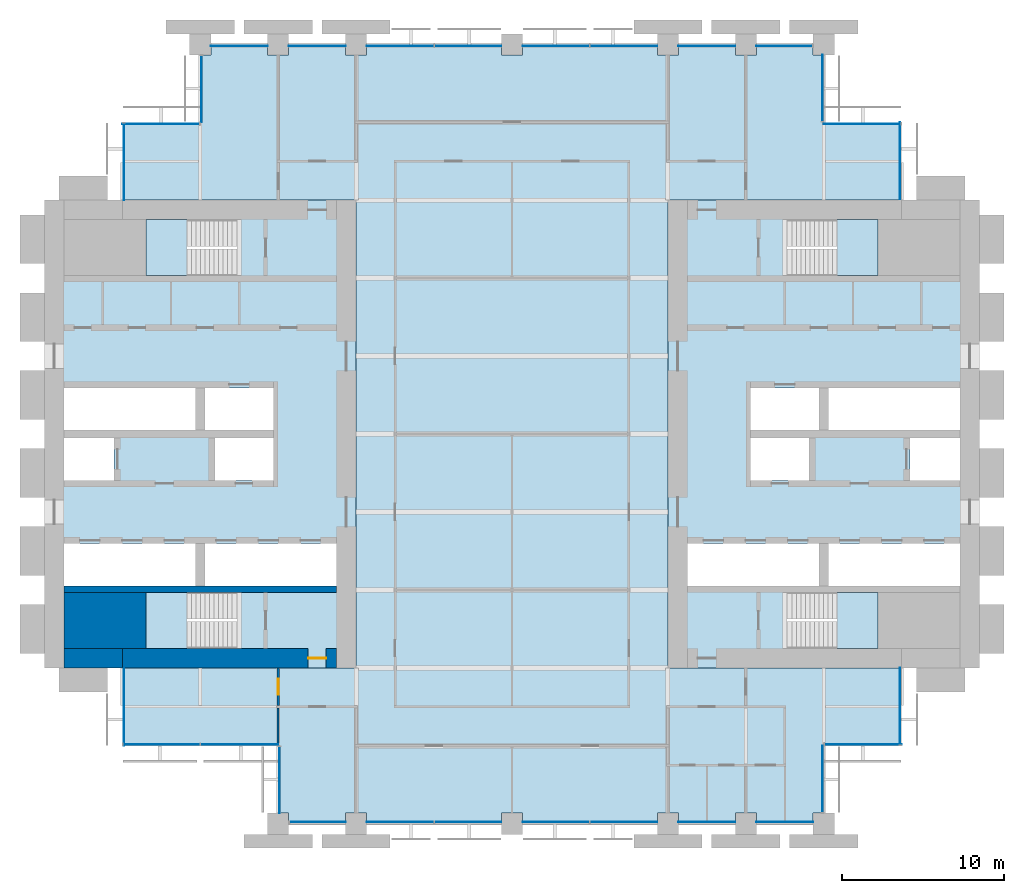
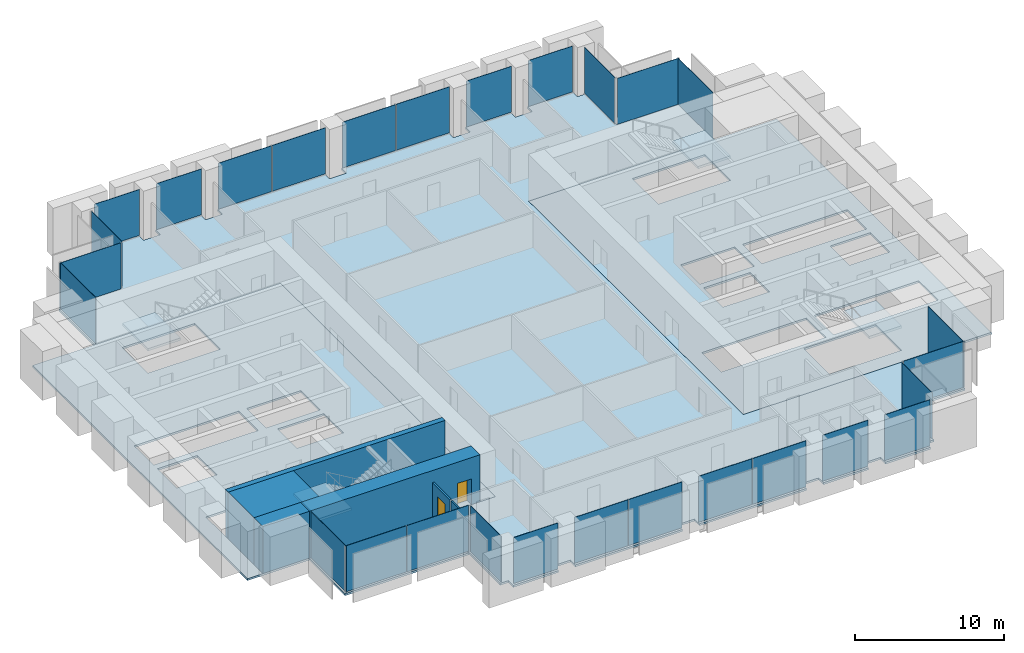
# One storey, part 8 of 14: 28 plates, 7 slabs, 6 walls, 2 doors, 2 openings, 18 elements without a shape of their own.
"""IFC4 building model written with IfcOpenShell, lengths in metres."""

from ifc_helpers import new_model, si_unit, direction, frame, frame_2d, origin, origin_2d, place, context, subcontext, project, spatial, polyline, rectangle, outline, extrude, material, layer, layer_set, type_object, element, fill, aggregate, save


model = new_model("IFC4")

# Units and contexts
model_context = context("Model", 3, precision=1e-05, world=origin(), true_north=direction((0.0, 1.0)))
body_context = subcontext(model_context, "Body", "Model", "MODEL_VIEW")
ifc_project = project(units=[si_unit("LENGTHUNIT", "METRE"), si_unit("AREAUNIT", "SQUARE_METRE"), si_unit("VOLUMEUNIT", "CUBIC_METRE"), si_unit("PLANEANGLEUNIT", "RADIAN"), si_unit("MASSUNIT", "GRAM", prefix="KILO")], contexts=[model_context])

# Site, building, storey
site_placement = place(None, origin())
site = spatial("IfcSite", under=ifc_project, at=site_placement, CompositionType="ELEMENT")
building_placement = place(site_placement, origin())
building = spatial("IfcBuilding", under=site, at=building_placement, Name="Baori Bourse Tower", CompositionType="ELEMENT")
storey_placement = place(building_placement, frame((0.0, 0.0, 43.0)))
storey = spatial("IfcBuildingStorey", under=building, at=storey_placement, Name="L08", CompositionType="ELEMENT", Elevation=43.0)

# Curtain wall, plates
ifc_material_1 = material(Name="Pale anodised aluminium", Category="aluminium")
curtain_wall_type_1 = type_object("IfcCurtainWallType", Name="CW1 Curtain wall", PredefinedType="NOTDEFINED", material=ifc_material_1)
curtain_wall_1_placement = place(storey_placement, origin())
curtain_wall_1 = element("IfcCurtainWall", 1, at=curtain_wall_1_placement, inside=storey, type_object=curtain_wall_type_1, Name="Curtain wall CW1 L08 4", PredefinedType="NOTDEFINED")
ifc_material_2 = material(Name="Clear glass", Category="glass")
ifc_layer_1 = layer(ifc_material_2, 0.033935546875)
ifc_layer_set_1 = layer_set([ifc_layer_1], Name="CW1 Curtain wall panel")
plate_type_1 = type_object("IfcPlateType", Name="CW1 Curtain wall panel", PredefinedType="CURTAIN_PANEL", material=ifc_layer_set_1)
plate_1_placement = place(storey_placement, frame((45.570068359375, 47.89990234375, 0.080078125), z_axis=(0.0, 0.0, 1.0), x_axis=(-1.0, 0.0, 0.0)))
plate_1 = element("IfcPlate", 2, at=plate_1_placement, type_object=plate_type_1, Name="Curtain wall CW1 panel", PredefinedType="CURTAIN_PANEL", context=body_context, shape_type="SweptSolid", body=[
    extrude(rectangle(XDim=3.43994140625, YDim=0.033935546875, at=origin_2d()), origin(), (0.0, 0.0, 1.0), 3.760009765625),
])
plate_2_placement = place(storey_placement, frame((40.800048828125, 47.89990234375, 0.080078125), z_axis=(0.0, 0.0, 1.0), x_axis=(-1.0, 0.0, 0.0)))
plate_2 = element("IfcPlate", 3, at=plate_2_placement, type_object=plate_type_1, Name="Curtain wall CW1 panel", PredefinedType="CURTAIN_PANEL", context=body_context, shape_type="SweptSolid", body=[
    extrude(rectangle(XDim=3.5, YDim=0.033935546875, at=origin_2d()), origin(), (0.0, 0.0, 1.0), 3.760009765625),
])
plate_3_placement = place(storey_placement, frame((35.68994140625, 47.89990234375, 0.080078125), z_axis=(0.0, 0.0, 1.0), x_axis=(-1.0, 0.0, 0.0)))
plate_3 = element("IfcPlate", 4, at=plate_3_placement, type_object=plate_type_1, Name="Curtain wall CW1 panel", PredefinedType="CURTAIN_PANEL", context=body_context, shape_type="SweptSolid", body=[
    extrude(rectangle(XDim=4.1201171875, YDim=0.033935546875, at=origin_2d()), origin(), (0.0, 0.0, 1.0), 3.760009765625),
])
plate_4_placement = place(storey_placement, frame((31.510009765625, 47.89990234375, 0.080078125), z_axis=(0.0, 0.0, 1.0), x_axis=(-1.0, 0.0, 0.0)))
plate_4 = element("IfcPlate", 5, at=plate_4_placement, type_object=plate_type_1, Name="Curtain wall CW1 panel", PredefinedType="CURTAIN_PANEL", context=body_context, shape_type="SweptSolid", body=[
    extrude(rectangle(XDim=4.1201171875, YDim=0.033935546875, at=origin_2d()), origin(), (0.0, 0.0, 1.0), 3.760009765625),
])
plate_5_placement = place(storey_placement, frame((26.090087890625, 47.89990234375, 0.080078125), z_axis=(0.0, 0.0, 1.0), x_axis=(-1.0, 0.0, 0.0)))
plate_5 = element("IfcPlate", 6, at=plate_5_placement, type_object=plate_type_1, Name="Curtain wall CW1 panel", PredefinedType="CURTAIN_PANEL", context=body_context, shape_type="SweptSolid", body=[
    extrude(rectangle(XDim=4.1201171875, YDim=0.033935546875, at=origin_2d()), origin(), (0.0, 0.0, 1.0), 3.760009765625),
])
plate_6_placement = place(storey_placement, frame((21.909912109375, 47.89990234375, 0.080078125), z_axis=(0.0, 0.0, 1.0), x_axis=(-1.0, 0.0, 0.0)))
plate_6 = element("IfcPlate", 7, at=plate_6_placement, type_object=plate_type_1, Name="Curtain wall CW1 panel", PredefinedType="CURTAIN_PANEL", context=body_context, shape_type="SweptSolid", body=[
    extrude(rectangle(XDim=4.1201171875, YDim=0.033935546875, at=origin_2d()), origin(), (0.0, 0.0, 1.0), 3.760009765625),
])
plate_7_placement = place(storey_placement, frame((16.800048828125, 47.89990234375, 0.080078125), z_axis=(0.0, 0.0, 1.0), x_axis=(-1.0, 0.0, 0.0)))
plate_7 = element("IfcPlate", 8, at=plate_7_placement, type_object=plate_type_1, Name="Curtain wall CW1 panel", PredefinedType="CURTAIN_PANEL", context=body_context, shape_type="SweptSolid", body=[
    extrude(rectangle(XDim=3.5, YDim=0.033935546875, at=origin_2d()), origin(), (0.0, 0.0, 1.0), 3.760009765625),
])
plate_8_placement = place(storey_placement, frame((12.0, 47.89990234375, 0.080078125), z_axis=(0.0, 0.0, 1.0), x_axis=(-1.0, 0.0, 0.0)))
plate_8 = element("IfcPlate", 9, at=plate_8_placement, type_object=plate_type_1, Name="Curtain wall CW1 panel", PredefinedType="CURTAIN_PANEL", context=body_context, shape_type="SweptSolid", body=[
    extrude(rectangle(XDim=3.5, YDim=0.033935546875, at=origin_2d()), origin(), (0.0, 0.0, 1.0), 3.760009765625),
])
aggregate(curtain_wall_1, [plate_1, plate_2, plate_3, plate_4, plate_5, plate_6, plate_7, plate_8])

curtain_wall_2_placement = place(storey_placement, origin())
curtain_wall_2 = element("IfcCurtainWall", 10, at=curtain_wall_2_placement, inside=storey, type_object=curtain_wall_type_1, Name="Curtain wall CW1 L08 11", PredefinedType="NOTDEFINED")
plate_9_placement = place(storey_placement, frame((16.830078125, 0.10009765625, 0.080078125), z_axis=(0.0, 0.0, 1.0), x_axis=(1.0, 0.0, 0.0)))
plate_9 = element("IfcPlate", 11, at=plate_9_placement, type_object=plate_type_1, Name="Curtain wall CW1 panel", PredefinedType="CURTAIN_PANEL", context=body_context, shape_type="SweptSolid", body=[
    extrude(rectangle(XDim=3.43994140625, YDim=0.033935546875, at=origin_2d()), origin(), (0.0, 0.0, 1.0), 3.760009765625),
])
plate_10_placement = place(storey_placement, frame((21.909912109375, 0.10009765625, 0.080078125), z_axis=(0.0, 0.0, 1.0), x_axis=(1.0, 0.0, 0.0)))
plate_10 = element("IfcPlate", 12, at=plate_10_placement, type_object=plate_type_1, Name="Curtain wall CW1 panel", PredefinedType="CURTAIN_PANEL", context=body_context, shape_type="SweptSolid", body=[
    extrude(rectangle(XDim=4.1201171875, YDim=0.033935546875, at=origin_2d()), origin(), (0.0, 0.0, 1.0), 3.760009765625),
])
plate_11_placement = place(storey_placement, frame((26.090087890625, 0.10009765625, 0.080078125), z_axis=(0.0, 0.0, 1.0), x_axis=(1.0, 0.0, 0.0)))
plate_11 = element("IfcPlate", 13, at=plate_11_placement, type_object=plate_type_1, Name="Curtain wall CW1 panel", PredefinedType="CURTAIN_PANEL", context=body_context, shape_type="SweptSolid", body=[
    extrude(rectangle(XDim=4.1201171875, YDim=0.033935546875, at=origin_2d()), origin(), (0.0, 0.0, 1.0), 3.760009765625),
])
plate_12_placement = place(storey_placement, frame((31.510009765625, 0.10009765625, 0.080078125), z_axis=(0.0, 0.0, 1.0), x_axis=(1.0, 0.0, 0.0)))
plate_12 = element("IfcPlate", 14, at=plate_12_placement, type_object=plate_type_1, Name="Curtain wall CW1 panel", PredefinedType="CURTAIN_PANEL", context=body_context, shape_type="SweptSolid", body=[
    extrude(rectangle(XDim=4.1201171875, YDim=0.033935546875, at=origin_2d()), origin(), (0.0, 0.0, 1.0), 3.760009765625),
])
plate_13_placement = place(storey_placement, frame((35.68994140625, 0.10009765625, 0.080078125), z_axis=(0.0, 0.0, 1.0), x_axis=(1.0, 0.0, 0.0)))
plate_13 = element("IfcPlate", 15, at=plate_13_placement, type_object=plate_type_1, Name="Curtain wall CW1 panel", PredefinedType="CURTAIN_PANEL", context=body_context, shape_type="SweptSolid", body=[
    extrude(rectangle(XDim=4.1201171875, YDim=0.033935546875, at=origin_2d()), origin(), (0.0, 0.0, 1.0), 3.760009765625),
])
plate_14_placement = place(storey_placement, frame((40.800048828125, 0.10009765625, 0.080078125), z_axis=(0.0, 0.0, 1.0), x_axis=(1.0, 0.0, 0.0)))
plate_14 = element("IfcPlate", 16, at=plate_14_placement, type_object=plate_type_1, Name="Curtain wall CW1 panel", PredefinedType="CURTAIN_PANEL", context=body_context, shape_type="SweptSolid", body=[
    extrude(rectangle(XDim=3.5, YDim=0.033935546875, at=origin_2d()), origin(), (0.0, 0.0, 1.0), 3.760009765625),
])
plate_15_placement = place(storey_placement, frame((45.60009765625, 0.10009765625, 0.080078125), z_axis=(0.0, 0.0, 1.0), x_axis=(1.0, 0.0, 0.0)))
plate_15 = element("IfcPlate", 17, at=plate_15_placement, type_object=plate_type_1, Name="Curtain wall CW1 panel", PredefinedType="CURTAIN_PANEL", context=body_context, shape_type="SweptSolid", body=[
    extrude(rectangle(XDim=3.5, YDim=0.033935546875, at=origin_2d()), origin(), (0.0, 0.0, 1.0), 3.760009765625),
])
aggregate(curtain_wall_2, [plate_9, plate_10, plate_11, plate_12, plate_13, plate_14, plate_15])

# Curtain wall, plate
ifc_material_3 = material(Name="Pale anodised aluminium", Category="aluminium")
curtain_wall_type_2 = type_object("IfcCurtainWallType", Name="CW2 Curtain wall", PredefinedType="NOTDEFINED", material=ifc_material_3)
curtain_wall_3_placement = place(storey_placement, origin())
curtain_wall_3 = element("IfcCurtainWall", 18, at=curtain_wall_3_placement, inside=storey, type_object=curtain_wall_type_2, Name="Curtain wall CW2 L08 1", PredefinedType="NOTDEFINED")
ifc_material_4 = material(Name="Clear glass", Category="glass")
ifc_layer_2 = layer(ifc_material_4, 0.030029296875)
ifc_layer_set_2 = layer_set([ifc_layer_2], Name="CW2 Curtain wall panel")
plate_type_2 = type_object("IfcPlateType", Name="CW2 Curtain wall panel", PredefinedType="CURTAIN_PANEL", material=ifc_layer_set_2)
plate_16_placement = place(storey_placement, frame((52.7099609375, 40.827392578125, 0.070068359375), z_axis=(0.0, 0.0, 1.0), x_axis=(0.0, 1.0, 0.0)))
plate_16 = element("IfcPlate", 19, at=plate_16_placement, type_object=plate_type_2, Name="Curtain wall CW2 panel", PredefinedType="CURTAIN_PANEL", context=body_context, shape_type="SweptSolid", body=[
    extrude(rectangle(XDim=4.7451171875, YDim=0.030029296875, at=origin_2d()), origin(), (0.0, 0.0, 1.0), 3.77001953125),
])
aggregate(curtain_wall_3, [plate_16])

curtain_wall_4_placement = place(storey_placement, origin())
curtain_wall_4 = element("IfcCurtainWall", 20, at=curtain_wall_4_placement, inside=storey, type_object=curtain_wall_type_2, Name="Curtain wall CW2 L08 2", PredefinedType="NOTDEFINED")
plate_17_placement = place(storey_placement, frame((50.37255859375, 43.110107421875, 0.070068359375), z_axis=(0.0, 0.0, 1.0), x_axis=(-1.0, 0.0, 0.0)))
plate_17 = element("IfcPlate", 21, at=plate_17_placement, type_object=plate_type_2, Name="Curtain wall CW2 panel", PredefinedType="CURTAIN_PANEL", context=body_context, shape_type="SweptSolid", body=[
    extrude(rectangle(XDim=4.7451171875, YDim=0.030029296875, at=origin_2d()), origin(), (0.0, 0.0, 1.0), 3.77001953125),
])
aggregate(curtain_wall_4, [plate_17])

curtain_wall_5_placement = place(storey_placement, origin())
curtain_wall_5 = element("IfcCurtainWall", 22, at=curtain_wall_5_placement, inside=storey, type_object=curtain_wall_type_2, Name="Curtain wall CW2 L08 3", PredefinedType="NOTDEFINED")
plate_18_placement = place(storey_placement, frame((47.909912109375, 45.302490234375, 0.070068359375), z_axis=(0.0, 0.0, 1.0), x_axis=(0.0, 1.0, 0.0)))
plate_18 = element("IfcPlate", 23, at=plate_18_placement, type_object=plate_type_2, Name="Curtain wall CW2 panel", PredefinedType="CURTAIN_PANEL", context=body_context, shape_type="SweptSolid", body=[
    extrude(rectangle(XDim=4.094970703125, YDim=0.030029296875, at=origin_2d()), origin(), (0.0, 0.0, 1.0), 3.77001953125),
])
aggregate(curtain_wall_5, [plate_18])

curtain_wall_6_placement = place(storey_placement, origin())
curtain_wall_6 = element("IfcCurtainWall", 24, at=curtain_wall_6_placement, inside=storey, type_object=curtain_wall_type_2, Name="Curtain wall CW2 L08 5", PredefinedType="NOTDEFINED")
plate_19_placement = place(storey_placement, frame((9.68994140625, 45.24755859375, 0.070068359375), z_axis=(0.0, 0.0, 1.0), x_axis=(0.0, -1.0, 0.0)))
plate_19 = element("IfcPlate", 25, at=plate_19_placement, type_object=plate_type_2, Name="Curtain wall CW2 panel", PredefinedType="CURTAIN_PANEL", context=body_context, shape_type="SweptSolid", body=[
    extrude(rectangle(XDim=4.094970703125, YDim=0.030029296875, at=origin_2d()), origin(), (0.0, 0.0, 1.0), 3.77001953125),
])
aggregate(curtain_wall_6, [plate_19])

curtain_wall_7_placement = place(storey_placement, origin())
curtain_wall_7 = element("IfcCurtainWall", 26, at=curtain_wall_7_placement, inside=storey, type_object=curtain_wall_type_2, Name="Curtain wall CW2 L08 6", PredefinedType="NOTDEFINED")
plate_20_placement = place(storey_placement, frame((7.172607421875, 43.110107421875, 0.070068359375), z_axis=(0.0, 0.0, 1.0), x_axis=(-1.0, 0.0, 0.0)))
plate_20 = element("IfcPlate", 27, at=plate_20_placement, type_object=plate_type_2, Name="Curtain wall CW2 panel", PredefinedType="CURTAIN_PANEL", context=body_context, shape_type="SweptSolid", body=[
    extrude(rectangle(XDim=4.7451171875, YDim=0.030029296875, at=origin_2d()), origin(), (0.0, 0.0, 1.0), 3.77001953125),
])
aggregate(curtain_wall_7, [plate_20])

curtain_wall_8_placement = place(storey_placement, origin())
curtain_wall_8 = element("IfcCurtainWall", 28, at=curtain_wall_8_placement, inside=storey, type_object=curtain_wall_type_2, Name="Curtain wall CW2 L08 7", PredefinedType="NOTDEFINED")
plate_21_placement = place(storey_placement, frame((4.889892578125, 40.7724609375, 0.070068359375), z_axis=(0.0, 0.0, 1.0), x_axis=(0.0, -1.0, 0.0)))
plate_21 = element("IfcPlate", 29, at=plate_21_placement, type_object=plate_type_2, Name="Curtain wall CW2 panel", PredefinedType="CURTAIN_PANEL", context=body_context, shape_type="SweptSolid", body=[
    extrude(rectangle(XDim=4.7451171875, YDim=0.030029296875, at=origin_2d()), origin(), (0.0, 0.0, 1.0), 3.77001953125),
])
aggregate(curtain_wall_8, [plate_21])

curtain_wall_9_placement = place(storey_placement, origin())
curtain_wall_9 = element("IfcCurtainWall", 30, at=curtain_wall_9_placement, inside=storey, type_object=curtain_wall_type_2, Name="Curtain wall CW2 L08 8", PredefinedType="NOTDEFINED")
plate_22_placement = place(storey_placement, frame((4.889892578125, 7.172607421875, 0.070068359375), z_axis=(0.0, 0.0, 1.0), x_axis=(0.0, -1.0, 0.0)))
plate_22 = element("IfcPlate", 31, at=plate_22_placement, type_object=plate_type_2, Name="Curtain wall CW2 panel", PredefinedType="CURTAIN_PANEL", context=body_context, shape_type="SweptSolid", body=[
    extrude(rectangle(XDim=4.7451171875, YDim=0.030029296875, at=origin_2d()), origin(), (0.0, 0.0, 1.0), 3.77001953125),
])
aggregate(curtain_wall_9, [plate_22])

# Curtain wall, plates
curtain_wall_10_placement = place(storey_placement, origin())
curtain_wall_10 = element("IfcCurtainWall", 32, at=curtain_wall_10_placement, inside=storey, type_object=curtain_wall_type_2, Name="Curtain wall CW2 L08 9", PredefinedType="NOTDEFINED")
plate_23_placement = place(storey_placement, frame((7.2138671875, 4.889892578125, 0.070068359375), z_axis=(0.0, 0.0, 1.0), x_axis=(1.0, 0.0, 0.0)))
plate_23 = element("IfcPlate", 33, at=plate_23_placement, type_object=plate_type_2, Name="Curtain wall CW2 panel", PredefinedType="CURTAIN_PANEL", context=body_context, shape_type="SweptSolid", body=[
    extrude(rectangle(XDim=4.717529296875, YDim=0.030029296875, at=origin_2d()), origin(), (0.0, 0.0, 1.0), 3.77001953125),
])
plate_24_placement = place(storey_placement, frame((12.013671875, 4.889892578125, 0.070068359375), z_axis=(0.0, 0.0, 1.0), x_axis=(1.0, 0.0, 0.0)))
plate_24 = element("IfcPlate", 34, at=plate_24_placement, type_object=plate_type_2, Name="Curtain wall CW2 panel", PredefinedType="CURTAIN_PANEL", context=body_context, shape_type="SweptSolid", body=[
    extrude(rectangle(XDim=4.7724609375, YDim=0.030029296875, at=origin_2d()), origin(), (0.0, 0.0, 1.0), 3.77001953125),
])
aggregate(curtain_wall_10, [plate_23, plate_24])

# Curtain wall, plate
curtain_wall_11_placement = place(storey_placement, origin())
curtain_wall_11 = element("IfcCurtainWall", 35, at=curtain_wall_11_placement, inside=storey, type_object=curtain_wall_type_2, Name="Curtain wall CW2 L08 10", PredefinedType="NOTDEFINED")
plate_25_placement = place(storey_placement, frame((14.489990234375, 2.697509765625, 0.070068359375), z_axis=(0.0, 0.0, 1.0), x_axis=(0.0, -1.0, 0.0)))
plate_25 = element("IfcPlate", 36, at=plate_25_placement, type_object=plate_type_2, Name="Curtain wall CW2 panel", PredefinedType="CURTAIN_PANEL", context=body_context, shape_type="SweptSolid", body=[
    extrude(rectangle(XDim=4.094970703125, YDim=0.030029296875, at=origin_2d()), origin(), (0.0, 0.0, 1.0), 3.77001953125),
])
aggregate(curtain_wall_11, [plate_25])

curtain_wall_12_placement = place(storey_placement, origin())
curtain_wall_12 = element("IfcCurtainWall", 37, at=curtain_wall_12_placement, inside=storey, type_object=curtain_wall_type_2, Name="Curtain wall CW2 L08 12", PredefinedType="NOTDEFINED")
plate_26_placement = place(storey_placement, frame((47.909912109375, 2.75244140625, 0.070068359375), z_axis=(0.0, 0.0, 1.0), x_axis=(0.0, 1.0, 0.0)))
plate_26 = element("IfcPlate", 38, at=plate_26_placement, type_object=plate_type_2, Name="Curtain wall CW2 panel", PredefinedType="CURTAIN_PANEL", context=body_context, shape_type="SweptSolid", body=[
    extrude(rectangle(XDim=4.094970703125, YDim=0.030029296875, at=origin_2d()), origin(), (0.0, 0.0, 1.0), 3.77001953125),
])
aggregate(curtain_wall_12, [plate_26])

curtain_wall_13_placement = place(storey_placement, origin())
curtain_wall_13 = element("IfcCurtainWall", 39, at=curtain_wall_13_placement, inside=storey, type_object=curtain_wall_type_2, Name="Curtain wall CW2 L08 13", PredefinedType="NOTDEFINED")
plate_27_placement = place(storey_placement, frame((50.427490234375, 4.889892578125, 0.070068359375), z_axis=(0.0, 0.0, 1.0), x_axis=(1.0, 0.0, 0.0)))
plate_27 = element("IfcPlate", 40, at=plate_27_placement, type_object=plate_type_2, Name="Curtain wall CW2 panel", PredefinedType="CURTAIN_PANEL", context=body_context, shape_type="SweptSolid", body=[
    extrude(rectangle(XDim=4.7451171875, YDim=0.030029296875, at=origin_2d()), origin(), (0.0, 0.0, 1.0), 3.77001953125),
])
aggregate(curtain_wall_13, [plate_27])

curtain_wall_14_placement = place(storey_placement, origin())
curtain_wall_14 = element("IfcCurtainWall", 41, at=curtain_wall_14_placement, inside=storey, type_object=curtain_wall_type_2, Name="Curtain wall CW2 L08 14", PredefinedType="NOTDEFINED")
plate_28_placement = place(storey_placement, frame((52.7099609375, 7.2275390625, 0.070068359375), z_axis=(0.0, 0.0, 1.0), x_axis=(0.0, 1.0, 0.0)))
plate_28 = element("IfcPlate", 42, at=plate_28_placement, type_object=plate_type_2, Name="Curtain wall CW2 panel", PredefinedType="CURTAIN_PANEL", context=body_context, shape_type="SweptSolid", body=[
    extrude(rectangle(XDim=4.7451171875, YDim=0.030029296875, at=origin_2d()), origin(), (0.0, 0.0, 1.0), 3.77001953125),
])
aggregate(curtain_wall_14, [plate_28])

# Slabs
ifc_material_5 = material(Name="Concrete f'c 50 MPa", Category="concrete")
ifc_layer_3 = layer(ifc_material_5, 0.159912109375)
ifc_layer_set_3 = layer_set([ifc_layer_3], Name="Core slab 160")
slab_type_1 = type_object("IfcSlabType", Name="Core slab 160", PredefinedType="FLOOR", material=ifc_layer_set_3)
slab_1_placement = place(storey_placement, frame((0.0, 0.0, -0.159912109375)))
element("IfcSlab", 43, at=slab_1_placement, inside=storey, type_object=slab_type_1, Name="Core floor slab W01", PredefinedType="FLOOR", context=body_context, shape_type="SweptSolid", body=[
    extrude(outline(polyline([(19.199951171875, 9.60009765625), (19.199951171875, 38.39990234375), (0.0, 38.39990234375), (0.0, 9.60009765625), (19.199951171875, 9.60009765625)]), holes=[polyline([(9.89990234375, 14.64990234375), (9.89990234375, 17.25), (18.0, 17.25), (18.0, 14.64990234375), (9.89990234375, 14.64990234375)]), polyline([(10.5, 21.14990234375), (10.5, 23.75), (14.10009765625, 23.75), (14.10009765625, 21.14990234375), (10.5, 21.14990234375)]), polyline([(14.10009765625, 24.25), (9.89990234375, 24.25), (9.89990234375, 26.85009765625), (14.10009765625, 26.85009765625), (14.10009765625, 24.25)]), polyline([(6.25, 14.25), (11.84912109375, 14.25), (11.84912109375, 10.800048828125), (6.25, 10.800048828125), (6.25, 14.25)]), polyline([(11.84912109375, 37.199951171875), (11.84912109375, 33.75), (6.25, 33.75), (6.25, 37.199951171875), (11.84912109375, 37.199951171875)]), polyline([(1.199951171875, 26.85009765625), (9.300048828125, 26.85009765625), (9.300048828125, 24.25), (1.199951171875, 24.25), (1.199951171875, 26.85009765625)]), polyline([(9.300048828125, 14.64990234375), (1.199951171875, 14.64990234375), (1.199951171875, 17.25), (9.300048828125, 17.25), (9.300048828125, 14.64990234375)]), polyline([(4.300048828125, 23.75), (4.300048828125, 21.14990234375), (1.199951171875, 21.14990234375), (1.199951171875, 23.75), (4.300048828125, 23.75)])]), origin(), (0.0, 0.0, 1.0), 0.159912109375),
])
slab_2_placement = place(storey_placement, frame((0.0, 0.0, -0.159912109375)))
element("IfcSlab", 44, at=slab_2_placement, inside=storey, type_object=slab_type_1, Name="Core floor slab E01", PredefinedType="FLOOR", context=body_context, shape_type="SweptSolid", body=[
    extrude(outline(polyline([(38.39990234375, 9.60009765625), (57.60009765625, 9.60009765625), (57.60009765625, 38.39990234375), (38.39990234375, 38.39990234375), (38.39990234375, 9.60009765625)]), holes=[polyline([(48.300048828125, 14.64990234375), (48.300048828125, 17.25), (56.39990234375, 17.25), (56.39990234375, 14.64990234375), (48.300048828125, 14.64990234375)]), polyline([(56.39990234375, 21.14990234375), (53.300048828125, 21.14990234375), (53.300048828125, 23.75), (56.39990234375, 23.75), (56.39990234375, 21.14990234375)]), polyline([(56.39990234375, 26.85009765625), (56.39990234375, 24.25), (48.300048828125, 24.25), (48.300048828125, 26.85009765625), (56.39990234375, 26.85009765625)]), polyline([(45.750732421875, 14.25), (51.35009765625, 14.25), (51.35009765625, 10.800048828125), (45.750732421875, 10.800048828125), (45.750732421875, 14.25)]), polyline([(51.35009765625, 37.199951171875), (51.35009765625, 33.75), (45.750732421875, 33.75), (45.750732421875, 37.199951171875), (51.35009765625, 37.199951171875)]), polyline([(39.60009765625, 17.25), (47.699951171875, 17.25), (47.699951171875, 14.64990234375), (39.60009765625, 14.64990234375), (39.60009765625, 17.25)]), polyline([(43.5, 24.25), (43.5, 26.85009765625), (47.699951171875, 26.85009765625), (47.699951171875, 24.25), (43.5, 24.25)]), polyline([(43.5, 23.75), (47.10009765625, 23.75), (47.10009765625, 21.14990234375), (43.5, 21.14990234375), (43.5, 23.75)])]), origin(), (0.0, 0.0, 1.0), 0.159912109375),
])

# Stair, slab
ifc_material_6 = material(Name="Concrete f'c 50 MPa", Category="concrete")
stair_type = type_object("IfcStairType", Name="Core stair", PredefinedType="HALF_TURN_STAIR", material=ifc_material_6)
stair_1_placement = place(storey_placement, origin())
stair_1 = element("IfcStair", 45, at=stair_1_placement, inside=storey, type_object=stair_type, Name="L08 Stair WA", PredefinedType="HALF_TURN_STAIR")
ifc_material_7 = material(Name="Concrete f'c 50 MPa", Category="concrete")
slab_type_2 = type_object("IfcSlabType", Name="Core stair landing", PredefinedType="LANDING", material=ifc_material_7)
slab_3_placement = place(storey_placement, frame((0.0, 0.0, 1.800048828125)))
slab_3 = element("IfcSlab", 46, at=slab_3_placement, type_object=slab_type_2, Name="ST1 landing 1", PredefinedType="LANDING", context=body_context, shape_type="SweptSolid", body=[
    extrude(outline(polyline([(8.77001953125, 14.25), (6.25, 14.25), (6.25, 10.800048828125), (8.77001953125, 10.800048828125), (8.77001953125, 14.25)])), origin(), (0.0, 0.0, 1.0), 0.199951171875),
])
aggregate(stair_1, [slab_3])

stair_2_placement = place(storey_placement, origin())
stair_2 = element("IfcStair", 47, at=stair_2_placement, inside=storey, type_object=stair_type, Name="L08 Stair WB", PredefinedType="HALF_TURN_STAIR")
slab_4_placement = place(storey_placement, frame((0.0, 0.0, 1.800048828125)))
slab_4 = element("IfcSlab", 48, at=slab_4_placement, type_object=slab_type_2, Name="ST2 landing 1", PredefinedType="LANDING", context=body_context, shape_type="SweptSolid", body=[
    extrude(outline(polyline([(8.77001953125, 37.199951171875), (6.25, 37.199951171875), (6.25, 33.75), (8.77001953125, 33.75), (8.77001953125, 37.199951171875)])), origin(), (0.0, 0.0, 1.0), 0.199951171875),
])
aggregate(stair_2, [slab_4])

stair_3_placement = place(storey_placement, origin())
stair_3 = element("IfcStair", 49, at=stair_3_placement, inside=storey, type_object=stair_type, Name="L08 Stair EA", PredefinedType="HALF_TURN_STAIR")
slab_5_placement = place(storey_placement, frame((0.0, 0.0, 1.800048828125)))
slab_5 = element("IfcSlab", 50, at=slab_5_placement, type_object=slab_type_2, Name="ST3 landing 1", PredefinedType="LANDING", context=body_context, shape_type="SweptSolid", body=[
    extrude(outline(polyline([(48.830078125, 10.800048828125), (51.35009765625, 10.800048828125), (51.35009765625, 14.25), (48.830078125, 14.25), (48.830078125, 10.800048828125)])), origin(), (0.0, 0.0, 1.0), 0.199951171875),
])
aggregate(stair_3, [slab_5])

stair_4_placement = place(storey_placement, origin())
stair_4 = element("IfcStair", 51, at=stair_4_placement, inside=storey, type_object=stair_type, Name="L08 Stair EB", PredefinedType="HALF_TURN_STAIR")
slab_6_placement = place(storey_placement, frame((0.0, 0.0, 1.800048828125)))
slab_6 = element("IfcSlab", 52, at=slab_6_placement, type_object=slab_type_2, Name="ST4 landing 1", PredefinedType="LANDING", context=body_context, shape_type="SweptSolid", body=[
    extrude(outline(polyline([(48.830078125, 33.75), (51.35009765625, 33.75), (51.35009765625, 37.199951171875), (48.830078125, 37.199951171875), (48.830078125, 33.75)])), origin(), (0.0, 0.0, 1.0), 0.199951171875),
])
aggregate(stair_4, [slab_6])

# Slab
ifc_material_8 = material(Name="Concrete f'c 40 MPa", Category="concrete")
ifc_layer_4 = layer(ifc_material_8, 0.159912109375)
ifc_layer_set_4 = layer_set([ifc_layer_4], Name="Floor slab 160")
slab_type_3 = type_object("IfcSlabType", Name="Floor slab 160", PredefinedType="FLOOR", material=ifc_layer_set_4)
slab_7_placement = place(storey_placement, frame((0.0, 0.0, -0.159912109375)))
element("IfcSlab", 53, at=slab_7_placement, inside=storey, type_object=slab_type_3, Name="Floor slab L08", PredefinedType="FLOOR", context=body_context, shape_type="SweptSolid", body=[
    extrude(outline(polyline([(14.39990234375, 4.800048828125), (4.800048828125, 4.800048828125), (4.800048828125, 9.60009765625), (19.199951171875, 9.60009765625), (19.199951171875, 38.39990234375), (4.800048828125, 38.39990234375), (4.800048828125, 43.199951171875), (9.60009765625, 43.199951171875), (9.60009765625, 47.35009765625), (10.25, 47.35009765625), (10.25, 48.0), (13.75, 48.0), (13.75, 47.35009765625), (15.050048828125, 47.35009765625), (15.050048828125, 48.0), (18.550048828125, 48.0), (18.550048828125, 47.35009765625), (19.85009765625, 47.35009765625), (19.85009765625, 48.0), (28.14990234375, 48.0), (28.14990234375, 47.35009765625), (29.449951171875, 47.35009765625), (29.449951171875, 48.0), (37.75, 48.0), (37.75, 47.35009765625), (39.050048828125, 47.35009765625), (39.050048828125, 48.0), (42.550048828125, 48.0), (42.550048828125, 47.35009765625), (43.85009765625, 47.35009765625), (43.85009765625, 48.0), (47.35009765625, 48.0), (47.35009765625, 47.35009765625), (48.0, 47.35009765625), (48.0, 43.199951171875), (52.800048828125, 43.199951171875), (52.800048828125, 38.39990234375), (38.39990234375, 38.39990234375), (38.39990234375, 9.60009765625), (52.800048828125, 9.60009765625), (52.800048828125, 4.800048828125), (48.0, 4.800048828125), (48.0, 0.64990234375), (47.35009765625, 0.64990234375), (47.35009765625, 0.0), (43.85009765625, 0.0), (43.85009765625, 0.64990234375), (42.550048828125, 0.64990234375), (42.550048828125, 0.0), (39.050048828125, 0.0), (39.050048828125, 0.64990234375), (37.75, 0.64990234375), (37.75, 0.0), (29.449951171875, 0.0), (29.449951171875, 0.64990234375), (28.14990234375, 0.64990234375), (28.14990234375, 0.0), (19.85009765625, 0.0), (19.85009765625, 0.64990234375), (18.550048828125, 0.64990234375), (18.550048828125, 0.0), (15.050048828125, 0.0), (15.050048828125, 0.64990234375), (14.39990234375, 0.64990234375), (14.39990234375, 4.800048828125)])), origin(), (0.0, 0.0, 1.0), 0.159912109375),
])

# Walls
ifc_material_9 = material(Name="Concrete f'c 70 MPa", Category="concrete")
wall_type_1 = type_object("IfcWallType", Name="Core corner block f'c 70", PredefinedType="SHEAR", material=ifc_material_9)
wall_1_placement = place(storey_placement, frame((1.199951171875, 12.52490234375, 0.0), z_axis=(0.0, 0.0, 1.0), x_axis=(1.0, 0.0, 0.0)))
element("IfcWall", 54, at=wall_1_placement, inside=storey, type_object=wall_type_1, Name="Core wall W05", PredefinedType="SHEAR", context=body_context, shape_type="SweptSolid", body=[
    extrude(rectangle(XDim=5.050048828125, YDim=3.449951171875, at=frame_2d((2.52490234375, 0.0))), origin(), (0.0, 0.0, 1.0), 3.840087890625),
])
ifc_material_10 = material(Name="Concrete f'c 70 MPa", Category="concrete")
ifc_layer_5 = layer(ifc_material_10, 1.199951171875)
ifc_layer_set_5 = layer_set([ifc_layer_5], Name="Core wall 1200 f'c 70")
wall_type_2 = type_object("IfcWallType", Name="Core wall 1200 f'c 70", PredefinedType="SHEAR", material=ifc_layer_set_5)
wall_2_placement = place(storey_placement, frame((4.800048828125, 10.199951171875, 0.0), z_axis=(0.0, 0.0, 1.0), x_axis=(-1.0, 0.0, 0.0)))
element("IfcWall", 55, at=wall_2_placement, inside=storey, type_object=wall_type_2, Name="Core wall W02", PredefinedType="SHEAR", context=body_context, shape_type="SweptSolid", body=[
    extrude(rectangle(XDim=3.60009765625, YDim=1.199951171875, at=frame_2d((1.800048828125, 0.0))), origin(), (0.0, 0.0, 1.0), 3.840087890625),
])

# Wall, opening, door
wall_3_placement = place(storey_placement, frame((18.0, 10.199951171875, 0.0), z_axis=(0.0, 0.0, 1.0), x_axis=(-1.0, 0.0, 0.0)))
wall_3 = element("IfcWall", 56, at=wall_3_placement, inside=storey, type_object=wall_type_2, Name="Core wall W03", PredefinedType="SHEAR", context=body_context, shape_type="SweptSolid", body=[
    extrude(rectangle(XDim=13.199951171875, YDim=1.199951171875, at=frame_2d((6.60009765625, 0.0))), origin(), (0.0, 0.0, 1.0), 3.840087890625),
])
opening_1_placement = place(wall_3_placement, frame((0.64990234375, 0.0, 0.0)))
opening_1 = element("IfcOpeningElement", 57, at=opening_1_placement, cuts=wall_3, Name="Opening L08-D102", PredefinedType="OPENING", context=body_context, shape_type="SweptSolid", body=[
    extrude(rectangle(XDim=1.10009765625, YDim=2.10009765625, at=frame_2d((0.550048828125, 1.050048828125))), frame((0.0, 0.60986328125, 0.0), z_axis=(0.0, -1.0, 0.0), x_axis=(1.0, 0.0, 0.0)), (0.0, 0.0, 1.0), 1.219970703125),
])
ifc_material_11 = material(Name="Painted steel door", Category="steel")
door_type_1 = type_object("IfcDoorType", Name="Stair door 1100", OperationType="SINGLE_SWING_LEFT", PredefinedType="DOOR", material=ifc_material_11)
door_1_placement = place(opening_1_placement, origin())
door_1 = element("IfcDoor", 58, at=door_1_placement, inside=storey, type_object=door_type_1, Name="Stair vestibule door A W L08", OperationType="SINGLE_SWING_LEFT", OverallHeight=2.10009765625, OverallWidth=1.10009765625, PredefinedType="DOOR", context=body_context, shape_type="SweptSolid", body=[
    extrude(rectangle(XDim=1.10009765625, YDim=2.10009765625, at=frame_2d((0.550048828125, 1.050048828125))), frame((0.0, 0.02490234375, 0.0), z_axis=(0.0, -1.0, 0.0), x_axis=(1.0, 0.0, 0.0)), (0.0, 0.0, 1.0), 0.050048828125),
])
fill(opening_1, door_1)

ifc_material_12 = material(Name="Gypsum board partition")
ifc_layer_6 = layer(ifc_material_12, 0.14990234375)
ifc_layer_set_6 = layer_set([ifc_layer_6], Name="Corridor partition 150")
wall_type_3 = type_object("IfcWallType", Name="Corridor partition 150", PredefinedType="PARTITIONING", material=ifc_layer_set_6)
wall_4_placement = place(storey_placement, frame((14.39990234375, 7.27490234375, 0.0), z_axis=(0.0, 0.0, 1.0), x_axis=(0.0, 1.0, 0.0)))
wall_4 = element("IfcWall", 59, at=wall_4_placement, inside=storey, type_object=wall_type_3, Name="Partition", PredefinedType="PARTITIONING", context=body_context, shape_type="SweptSolid", body=[
    extrude(rectangle(XDim=2.3251953125, YDim=0.14990234375, at=frame_2d((1.16259765625, 0.0))), origin(), (0.0, 0.0, 1.0), 2.849365234375),
])
opening_2_placement = place(wall_4_placement, frame((0.66259765625, 0.0, 0.0)))
opening_2 = element("IfcOpeningElement", 60, at=opening_2_placement, cuts=wall_4, Name="Opening L08-D13", PredefinedType="OPENING", context=body_context, shape_type="SweptSolid", body=[
    extrude(rectangle(XDim=1.0, YDim=2.10009765625, at=frame_2d((0.5, 1.050048828125))), frame((0.0, 0.0849609375, 0.0), z_axis=(0.0, -1.0, 0.0), x_axis=(1.0, 0.0, 0.0)), (0.0, 0.0, 1.0), 0.169921875),
])
ifc_material_13 = material(Name="Timber door leaf", Category="wood")
door_type_2 = type_object("IfcDoorType", Name="Door 1000 x 2100", OperationType="SINGLE_SWING_LEFT", PredefinedType="DOOR", material=ifc_material_13)
door_2_placement = place(opening_2_placement, origin())
door_2 = element("IfcDoor", 61, at=door_2_placement, inside=storey, type_object=door_type_2, Name="Door", OperationType="SINGLE_SWING_RIGHT", OverallHeight=2.10009765625, OverallWidth=1.0, PredefinedType="DOOR", context=body_context, shape_type="SweptSolid", body=[
    extrude(rectangle(XDim=1.0, YDim=2.10009765625, at=frame_2d((0.5, 1.050048828125))), frame((0.0, 0.02490234375, 0.0), z_axis=(0.0, -1.0, 0.0), x_axis=(1.0, 0.0, 0.0)), (0.0, 0.0, 1.0), 0.050048828125),
])
fill(opening_2, door_2)

# Walls
ifc_material_14 = material(Name="Gypsum board partition")
ifc_layer_7 = layer(ifc_material_14, 0.125)
ifc_layer_set_7 = layer_set([ifc_layer_7], Name="Partition 125")
wall_type_4 = type_object("IfcWallType", Name="Partition 125", PredefinedType="PARTITIONING", material=ifc_layer_set_7)
wall_5_placement = place(storey_placement, frame((14.39990234375, 4.89990234375, 0.0), z_axis=(0.0, 0.0, 1.0), x_axis=(0.0, 1.0, 0.0)))
element("IfcWall", 62, at=wall_5_placement, inside=storey, type_object=wall_type_4, Name="Partition", PredefinedType="PARTITIONING", context=body_context, shape_type="SweptSolid", body=[
    extrude(rectangle(XDim=2.22509765625, YDim=0.125, at=frame_2d((1.112548828125, 0.0))), origin(), (0.0, 0.0, 1.0), 2.849365234375),
])
ifc_material_15 = material(Name="Concrete f'c 70 MPa", Category="concrete")
ifc_layer_8 = layer(ifc_material_15, 0.39990234375)
ifc_layer_set_8 = layer_set([ifc_layer_8], Name="Shaft wall 400 f'c 70")
wall_type_5 = type_object("IfcWallType", Name="Shaft wall 400 f'c 70", PredefinedType="SHEAR", material=ifc_layer_set_8)
wall_6_placement = place(storey_placement, frame((1.199951171875, 14.449951171875, 0.0), z_axis=(0.0, 0.0, 1.0), x_axis=(1.0, 0.0, 0.0)))
element("IfcWall", 63, at=wall_6_placement, inside=storey, type_object=wall_type_5, Name="Core wall W07", PredefinedType="SHEAR", context=body_context, shape_type="SweptSolid", body=[
    extrude(rectangle(XDim=16.800048828125, YDim=0.39990234375, at=frame_2d((8.39990234375, 0.0))), origin(), (0.0, 0.0, 1.0), 3.840087890625),
])

save(model, "model.ifc")
